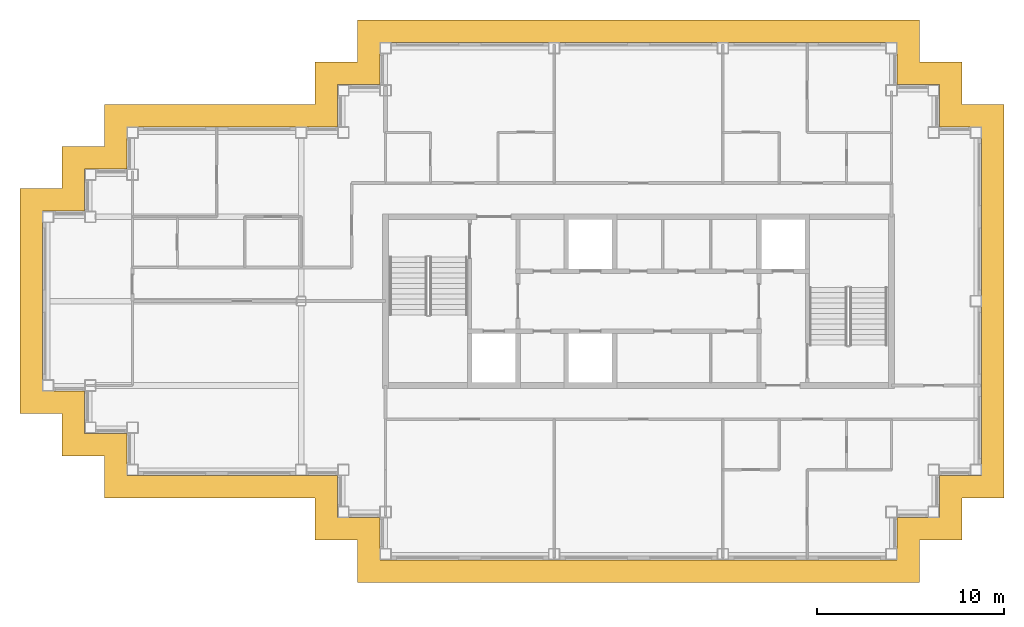
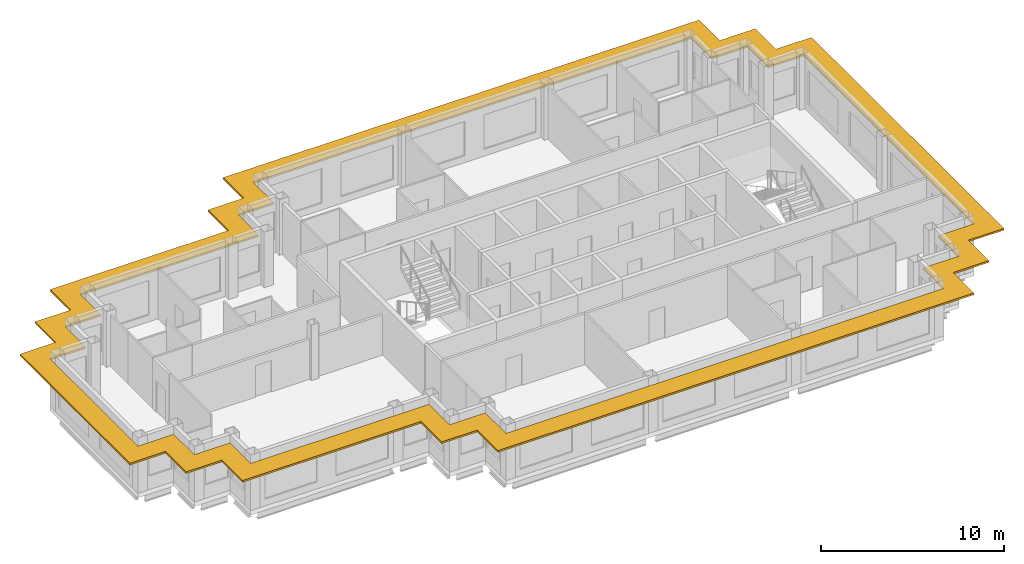
# One storey, part 10 of 11: 1 shading device.
"""IFC4 building model written with IfcOpenShell, lengths in metres."""

from ifc_helpers import new_model, si_unit, direction, frame, origin, place, context, subcontext, project, spatial, polyline, outline, extrude, material, layer, layer_set, type_object, element, save


model = new_model("IFC4")

# Units and contexts
model_context = context("Model", 3, precision=1e-05, world=origin(), true_north=direction((0.0, 1.0)))
body_context = subcontext(model_context, "Body", "Model", "MODEL_VIEW")
ifc_project = project(units=[si_unit("LENGTHUNIT", "METRE"), si_unit("AREAUNIT", "SQUARE_METRE"), si_unit("VOLUMEUNIT", "CUBIC_METRE"), si_unit("PLANEANGLEUNIT", "RADIAN"), si_unit("MASSUNIT", "GRAM", prefix="KILO")], contexts=[model_context])

# Site, building, storey
site_placement = place(None, origin())
site = spatial("IfcSite", under=ifc_project, at=site_placement, CompositionType="ELEMENT")
building_placement = place(site_placement, origin())
building = spatial("IfcBuilding", under=site, at=building_placement, Name="Caravel Reach Hotel and Residences", CompositionType="ELEMENT")
storey_placement = place(building_placement, frame((0.0, 0.0, 260.10009765625)))
storey = spatial("IfcBuildingStorey", under=building, at=storey_placement, Name="L66", CompositionType="ELEMENT", Elevation=260.10009765625)

# Shading device
ifc_material = material(Name="Black powder-coated aluminium", Category="aluminium")
ifc_layer = layer(ifc_material, 0.1201171875)
ifc_layer_set = layer_set([ifc_layer], Name="SS1 Sunshade band 1200")
shading_device_type = type_object("IfcShadingDeviceType", Name="SS1 Sunshade band 1200", PredefinedType="USERDEFINED", material=ifc_layer_set)
shading_device_placement = place(storey_placement, frame((0.0, 0.0, 3.039794921875)))
element("IfcShadingDevice", 1, at=shading_device_placement, inside=storey, type_object=shading_device_type, Name="Sunshade L66 1", ObjectType="SUNSHADE", PredefinedType="USERDEFINED", context=body_context, shape_type="SweptSolid", body=[
    extrude(outline(polyline([(3.0, 16.5), (14.25, 16.5), (14.25, 14.25), (16.5, 14.25), (16.5, 12.0), (46.5, 12.0), (46.5, 14.25), (48.75, 14.25), (48.75, 16.5), (51.0, 16.5), (51.0, 37.5), (48.75, 37.5), (48.75, 39.75), (46.5, 39.75), (46.5, 42.0), (16.5, 42.0), (16.5, 39.75), (14.25, 39.75), (14.25, 37.5), (3.0, 37.5), (3.0, 35.25), (0.75, 35.25), (0.75, 33.0), (-1.5, 33.0), (-1.5, 21.0), (0.75, 21.0), (0.75, 18.75), (3.0, 18.75), (3.0, 16.5)]), holes=[polyline([(15.449951171875, 15.449951171875), (15.449951171875, 17.699951171875), (4.199951171875, 17.699951171875), (4.199951171875, 19.949951171875), (1.949951171875, 19.949951171875), (1.949951171875, 22.199951171875), (-0.300048828125, 22.199951171875), (-0.300048828125, 31.800048828125), (1.949951171875, 31.800048828125), (1.949951171875, 34.050048828125), (4.199951171875, 34.050048828125), (4.199951171875, 36.300048828125), (15.449951171875, 36.300048828125), (15.449951171875, 38.550048828125), (17.699951171875, 38.550048828125), (17.699951171875, 40.800048828125), (45.300048828125, 40.800048828125), (45.300048828125, 38.550048828125), (47.550048828125, 38.550048828125), (47.550048828125, 36.300048828125), (49.800048828125, 36.300048828125), (49.800048828125, 17.699951171875), (47.550048828125, 17.699951171875), (47.550048828125, 15.449951171875), (45.300048828125, 15.449951171875), (45.300048828125, 13.199951171875), (17.699951171875, 13.199951171875), (17.699951171875, 15.449951171875), (15.449951171875, 15.449951171875)])]), origin(), (0.0, 0.0, 1.0), 0.1201171875),
])

save(model, "model.ifc")
